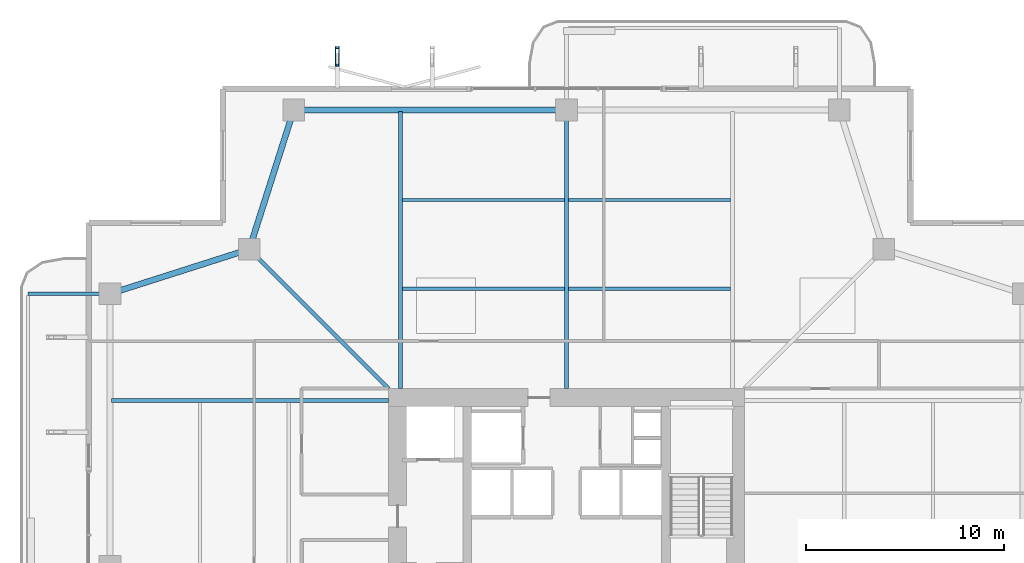
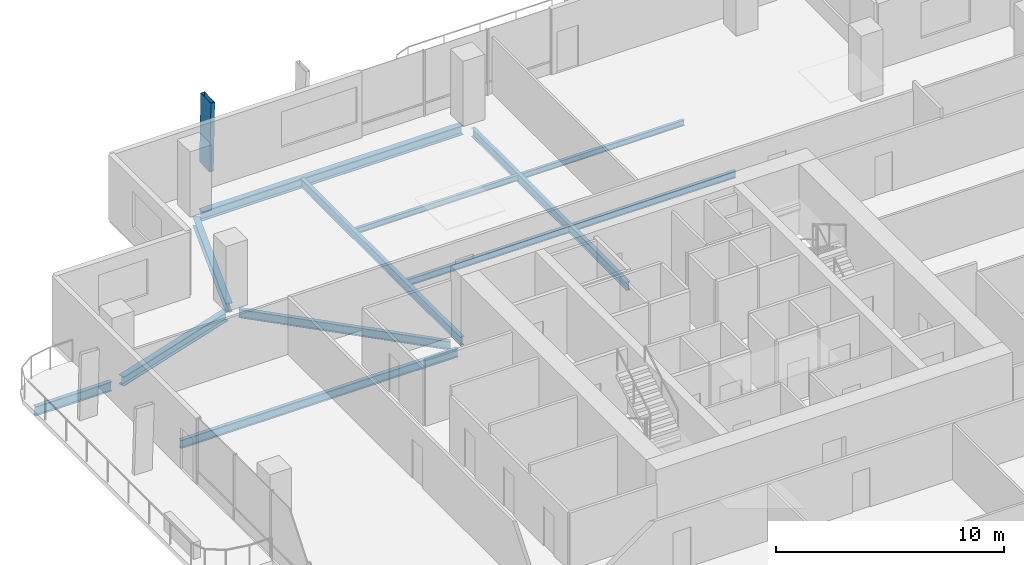
# One storey, part 13 of 25: 12 beams, 1 member.
"""IFC4 building model written with IfcOpenShell, lengths in metres."""

from ifc_helpers import new_model, si_unit, direction, frame, origin, origin_2d, place, context, subcontext, project, spatial, hollow_rectangle, i_section, extrude, material, material_profile, profile_set, type_object, element, save


model = new_model("IFC4")

# Units and contexts
model_context = context("Model", 3, precision=1e-05, world=origin(), true_north=direction((0.0, 1.0)))
body_context = subcontext(model_context, "Body", "Model", "MODEL_VIEW")
ifc_project = project(units=[si_unit("LENGTHUNIT", "METRE"), si_unit("AREAUNIT", "SQUARE_METRE"), si_unit("VOLUMEUNIT", "CUBIC_METRE"), si_unit("PLANEANGLEUNIT", "RADIAN"), si_unit("MASSUNIT", "GRAM", prefix="KILO")], contexts=[model_context])

# Site, building, storey
site_placement = place(None, origin())
site = spatial("IfcSite", under=ifc_project, at=site_placement, CompositionType="ELEMENT")
building_placement = place(site_placement, origin())
building = spatial("IfcBuilding", under=site, at=building_placement, Name="Belovzor Exchange Tower", CompositionType="ELEMENT")
storey_placement = place(building_placement, frame((0.0, 0.0, 149.550048828125)))
storey = spatial("IfcBuildingStorey", under=building, at=storey_placement, Name="L36", CompositionType="ELEMENT", Elevation=149.550048828125)

# Beams
ifc_material_1 = material(Name="Steel S355", Category="steel")
ifc_material_profile_1 = material_profile(ifc_material_1, i_section(OverallWidth=0.199951171875, OverallDepth=0.5, WebThickness=0.01025390625, FlangeThickness=0.01611328125, at=origin_2d()))
ifc_profile_set_1 = profile_set([ifc_material_profile_1], Name="Steel S355")
beam_type_1 = type_object("IfcBeamType", Name="Planted Balcony Cantilever Beam IPE 500", PredefinedType="BEAM", material=ifc_profile_set_1)
beam_1_placement = place(storey_placement, frame((5.39697265625, 42.60009765625, -0.505126953125), z_axis=(-1.0, 0.0, 0.0), x_axis=(0.0, -1.0, 0.0)))
element("IfcBeam", 1, at=beam_1_placement, inside=storey, type_object=beam_type_1, Name="BC-500 Planted Balcony Cantilever Beam IPE 500", PredefinedType="BEAM", context=body_context, shape_type="SweptSolid", body=[
    extrude(i_section(OverallWidth=0.199951171875, OverallDepth=0.5, WebThickness=0.01025390625, FlangeThickness=0.01611328125, at=origin_2d()), origin(), (0.0, 0.0, 1.0), 3.849853515625),
])
ifc_material_2 = material(Name="Steel S355", Category="steel")
ifc_material_profile_2 = material_profile(ifc_material_2, i_section(OverallWidth=0.169921875, OverallDepth=0.360107421875, WebThickness=0.008056640625, FlangeThickness=0.0126953125, at=origin_2d()))
ifc_profile_set_2 = profile_set([ifc_material_profile_2], Name="Steel S355")
beam_type_2 = type_object("IfcBeamType", Name="Secondary Infill Floor Joist IPE 360", PredefinedType="BEAM", material=ifc_profile_set_2)
for number, where, z_axis, x_axis, name in (
    (2, (20.4951171875, 42.84912109375, -0.43505859375), (1.0, 0.0, 0.0), (0.0, 1.0, 0.0), "FJ-360 Secondary Infill Floor Joist IPE 360"),
    (3, (28.89501953125, 42.84912109375, -0.43505859375), (1.0, 0.0, 0.0), (0.0, 1.0, 0.0), "FJ-360 Secondary Infill Floor Joist IPE 360"),
):
    element("IfcBeam", number, at=place(storey_placement, frame(where, z_axis=z_axis, x_axis=x_axis)), inside=storey, type_object=beam_type_2, Name=name, PredefinedType="BEAM", context=body_context, shape_type="SweptSolid", body=[
        extrude(i_section(OverallWidth=0.169921875, OverallDepth=0.360107421875, WebThickness=0.008056640625, FlangeThickness=0.0126953125, at=origin_2d()), origin(), (0.0, 0.0, 1.0), 8.2099609375),
    ])
ifc_material_3 = material(Name="Steel S355", Category="steel")
ifc_material_profile_3 = material_profile(ifc_material_3, i_section(OverallWidth=0.14990234375, OverallDepth=0.300048828125, WebThickness=0.007080078125, FlangeThickness=0.0107421875, at=origin_2d()))
ifc_profile_set_3 = profile_set([ifc_material_profile_3], Name="Steel S355")
beam_type_3 = type_object("IfcBeamType", Name="Secondary Trim Floor Joist IPE 300", PredefinedType="BEAM", material=ifc_profile_set_3)
for number, where, z_axis, x_axis, name in (
    (4, (20.4951171875, 47.3369140625, -0.405029296875), (1.0, 0.0, 0.0), (0.0, 1.0, 0.0), "FJ-300 Secondary Trim Floor Joist IPE 300"),
    (5, (28.89501953125, 47.3369140625, -0.405029296875), (1.0, 0.0, 0.0), (0.0, 1.0, 0.0), "FJ-300 Secondary Trim Floor Joist IPE 300"),
):
    element("IfcBeam", number, at=place(storey_placement, frame(where, z_axis=z_axis, x_axis=x_axis)), inside=storey, type_object=beam_type_3, Name=name, PredefinedType="BEAM", context=body_context, shape_type="SweptSolid", body=[
        extrude(i_section(OverallWidth=0.14990234375, OverallDepth=0.300048828125, WebThickness=0.007080078125, FlangeThickness=0.0107421875, at=origin_2d()), origin(), (0.0, 0.0, 1.0), 8.2099609375),
    ])

# Member
ifc_material_4 = material(Name="Extruded Architectural Terracotta on Steel S355 Carrier", Category="masonry")
ifc_material_profile_4 = material_profile(ifc_material_4, hollow_rectangle(XDim=0.199951171875, YDim=0.89990234375, WallThickness=0.011962890625, at=origin_2d()))
ifc_profile_set_4 = profile_set([ifc_material_profile_4], Name="Extruded Architectural Terracotta on Steel S355 Carrier")
member_type = type_object("IfcMemberType", Name="Sweeping Terracotta Baguette Fin Assembly 1250", PredefinedType="USERDEFINED", material=ifc_profile_set_4)
member_placement = place(storey_placement, frame((17.199951171875, 54.6640625, -0.255126953125), z_axis=(0.0, -0.030129544208, 0.999546002226), x_axis=(1.0, 0.0, 0.0)))
element("IfcMember", 6, at=member_placement, inside=storey, type_object=member_type, Name="FIN-TC125 Terracotta Facade Fin L36 N1", ObjectType="FIN", PredefinedType="USERDEFINED", context=body_context, shape_type="SweptSolid", body=[
    extrude(hollow_rectangle(XDim=0.199951171875, YDim=0.89990234375, WallThickness=0.011962890625, at=origin_2d()), origin(), (0.0, 0.0, 1.0), 3.751708984375),
])

# Beams
ifc_material_5 = material(Name="Steel S355", Category="steel")
ifc_material_profile_5 = material_profile(ifc_material_5, i_section(OverallWidth=0.18994140625, OverallDepth=0.449951171875, WebThickness=0.009521484375, FlangeThickness=0.0146484375, at=origin_2d()))
ifc_profile_set_5 = profile_set([ifc_material_profile_5], Name="Steel S355")
beam_type_4 = type_object("IfcBeamType", Name="Zone 2-4 Radial Composite Floor Beam IPE 450", PredefinedType="BEAM", material=ifc_profile_set_5)
beam_2_placement = place(storey_placement, frame((20.39990234375, 37.800048828125, -0.47998046875), z_axis=(0.0, 1.0, 0.0), x_axis=(-1.0, 0.0, 0.0)))
element("IfcBeam", 7, at=beam_2_placement, inside=storey, type_object=beam_type_4, Name="FB-450 Zone 2-4 Radial Composite Floor Beam IPE 450", PredefinedType="BEAM", context=body_context, shape_type="SweptSolid", body=[
    extrude(i_section(OverallWidth=0.18994140625, OverallDepth=0.449951171875, WebThickness=0.009521484375, FlangeThickness=0.0146484375, at=origin_2d()), origin(), (0.0, 0.0, 1.0), 14.02490234375),
])
beam_3_placement = place(storey_placement, frame((28.800048828125, 37.800048828125, -0.47998046875), z_axis=(0.0, 1.0, 0.0), x_axis=(-1.0, 0.0, 0.0)))
element("IfcBeam", 8, at=beam_3_placement, inside=storey, type_object=beam_type_4, Name="FB-450 Zone 2-4 Radial Composite Floor Beam IPE 450", PredefinedType="BEAM", context=body_context, shape_type="SweptSolid", body=[
    extrude(i_section(OverallWidth=0.18994140625, OverallDepth=0.449951171875, WebThickness=0.009521484375, FlangeThickness=0.0146484375, at=origin_2d()), origin(), (0.0, 0.0, 1.0), 13.615966796875),
])
beam_4_placement = place(storey_placement, frame((19.800048828125, 37.199951171875, -0.47998046875), z_axis=(-1.0, 0.0, 0.0), x_axis=(0.0, -1.0, 0.0)))
element("IfcBeam", 9, at=beam_4_placement, inside=storey, type_object=beam_type_4, Name="FB-450 Zone 2-4 Radial Composite Floor Beam IPE 450", PredefinedType="BEAM", context=body_context, shape_type="SweptSolid", body=[
    extrude(i_section(OverallWidth=0.18994140625, OverallDepth=0.449951171875, WebThickness=0.009521484375, FlangeThickness=0.0146484375, at=origin_2d()), origin(), (0.0, 0.0, 1.0), 14.025146484375),
])
beam_5_placement = place(storey_placement, frame((19.800048828125, 37.800048828125, -0.47998046875), z_axis=(-0.707119521505, 0.707094040639, 0.0), x_axis=(-0.707094040639, -0.707119521505, 0.0)))
element("IfcBeam", 10, at=beam_5_placement, inside=storey, type_object=beam_type_4, Name="FB-450 Zone 2-4 Radial Composite Floor Beam IPE 450", PredefinedType="BEAM", context=body_context, shape_type="SweptSolid", body=[
    extrude(i_section(OverallWidth=0.18994140625, OverallDepth=0.449951171875, WebThickness=0.009521484375, FlangeThickness=0.0146484375, at=origin_2d()), origin(), (0.0, 0.0, 1.0), 9.581298828125),
])
ifc_material_6 = material(Name="Steel S355", Category="steel")
ifc_material_profile_6 = material_profile(ifc_material_6, i_section(OverallWidth=0.300048828125, OverallDepth=0.5, WebThickness=0.014404296875, FlangeThickness=0.028076171875, at=origin_2d()))
ifc_profile_set_6 = profile_set([ifc_material_profile_6], Name="Steel S355")
beam_type_5 = type_object("IfcBeamType", Name="Zone 3 Waist Primary Girder HEB 500", PredefinedType="BEAM", material=ifc_profile_set_6)
beam_6_placement = place(storey_placement, frame((28.498046875, 51.89990234375, -0.505126953125), z_axis=(-1.0, 0.0, 0.0), x_axis=(0.0, -1.0, 0.0)))
element("IfcBeam", 11, at=beam_6_placement, inside=storey, type_object=beam_type_5, Name="FG-Z3 Zone 3 Waist Primary Girder HEB 500", PredefinedType="BEAM", context=body_context, shape_type="SweptSolid", body=[
    extrude(i_section(OverallWidth=0.300048828125, OverallDepth=0.5, WebThickness=0.014404296875, FlangeThickness=0.028076171875, at=origin_2d()), origin(), (0.0, 0.0, 1.0), 13.195068359375),
])
for number, where, z_axis, x_axis, name in (
    (12, (14.907958984375, 51.612060546875, -0.505126953125), (-0.304001325621, -0.952671608699, 0.0), (0.952671608699, -0.304001325621, 0.0), "FG-Z3 Zone 3 Waist Primary Girder HEB 500"),
    (13, (12.4619140625, 44.758056640625, -0.505126953125), (-0.952657882792, -0.304044336164, 0.0), (0.304044336164, -0.952657882792, 0.0), "FG-Z3 Zone 3 Waist Primary Girder HEB 500"),
):
    element("IfcBeam", number, at=place(storey_placement, frame(where, z_axis=z_axis, x_axis=x_axis)), inside=storey, type_object=beam_type_5, Name=name, PredefinedType="BEAM", context=body_context, shape_type="SweptSolid", body=[
        extrude(i_section(OverallWidth=0.300048828125, OverallDepth=0.5, WebThickness=0.014404296875, FlangeThickness=0.028076171875, at=origin_2d()), origin(), (0.0, 0.0, 1.0), 6.795654296875),
    ])

save(model, "model.ifc")
